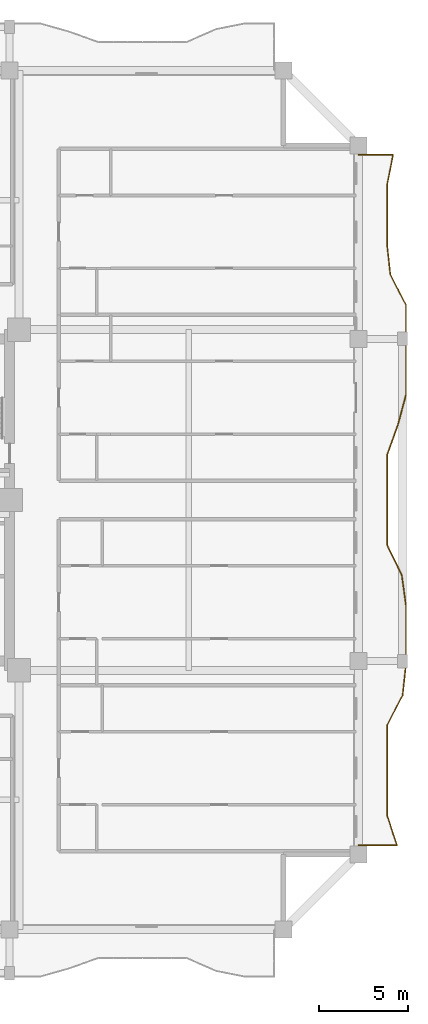
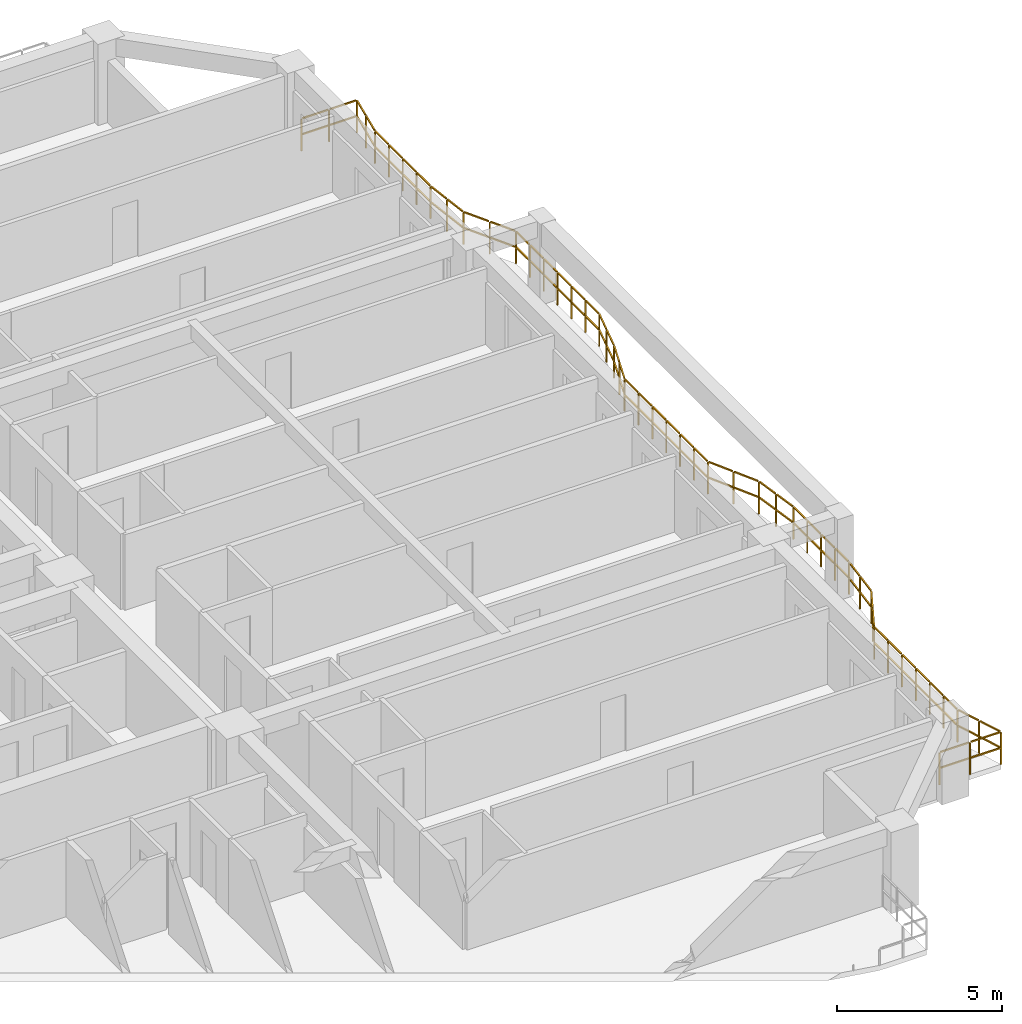
# One storey, part 11 of 12: 1 railing.
"""IFC4 building model written with IfcOpenShell, lengths in metres."""

from ifc_helpers import new_model, si_unit, direction, frame, origin, origin_2d, place, context, subcontext, project, spatial, rectangle, extrude, material, type_object, element, save


model = new_model("IFC4")

# Units and contexts
model_context = context("Model", 3, precision=1e-05, world=origin(), true_north=direction((0.0, 1.0)))
body_context = subcontext(model_context, "Body", "Model", "MODEL_VIEW")
ifc_project = project(units=[si_unit("LENGTHUNIT", "METRE"), si_unit("AREAUNIT", "SQUARE_METRE"), si_unit("VOLUMEUNIT", "CUBIC_METRE"), si_unit("PLANEANGLEUNIT", "RADIAN"), si_unit("MASSUNIT", "GRAM", prefix="KILO")], contexts=[model_context])

# Site, building, storey
site_placement = place(None, origin())
site = spatial("IfcSite", under=ifc_project, at=site_placement, CompositionType="ELEMENT")
building_placement = place(site_placement, origin())
building = spatial("IfcBuilding", under=site, at=building_placement, Name="Saelheon Loggia Tower", CompositionType="ELEMENT")
storey_placement = place(building_placement, frame((0.0, 0.0, 101.85009765625)))
storey = spatial("IfcBuildingStorey", under=building, at=storey_placement, Name="L32", CompositionType="ELEMENT", Elevation=101.85009765625)

# Railing
ifc_material = material(Name="Architectural Precast Concrete and Laminated Glass Guard", Category="concrete")
railing_type = type_object("IfcRailingType", Name="Guard_Loggia_RL_LOG", PredefinedType="BALUSTRADE", material=ifc_material)
railing_placement = place(storey_placement, frame((64.0, 7.699951171875, 0.0)))
element("IfcRailing", 1, at=railing_placement, inside=storey, type_object=railing_type, Name="L32 East Loggia Balustrade", PredefinedType="BALUSTRADE", context=body_context, shape_type="SweptSolid", body=[
    extrude(rectangle(XDim=0.048095703125, YDim=0.048095703125, at=origin_2d()), frame((0.033203125, 0.0, 1.19580078125), z_axis=(1.0, 0.0, 0.0), x_axis=(0.0, 1.0, 0.0)), (0.0, 0.0, 1.0), 1.008544921875),
    extrude(rectangle(XDim=0.048095703125, YDim=0.048095703125, at=origin_2d()), frame((0.033203125, 0.0, 0.60986328125), z_axis=(1.0, 0.0, 0.0), x_axis=(0.0, 1.0, 0.0)), (0.0, 0.0, 1.0), 1.008544921875),
    extrude(rectangle(XDim=0.048095703125, YDim=0.048095703125, at=origin_2d()), frame((1.108154296875, 0.0, 1.19580078125), z_axis=(1.0, 0.0, 0.0), x_axis=(0.0, 1.0, 0.0)), (0.0, 0.0, 1.0), 1.008544921875),
    extrude(rectangle(XDim=0.048095703125, YDim=0.048095703125, at=origin_2d()), frame((1.108154296875, 0.0, 0.60986328125), z_axis=(1.0, 0.0, 0.0), x_axis=(0.0, 1.0, 0.0)), (0.0, 0.0, 1.0), 1.008544921875),
    extrude(rectangle(XDim=0.048095703125, YDim=0.048095703125, at=origin_2d()), frame((2.1396484375, 0.031494140625, 1.19580078125), z_axis=(-0.311288759302, 0.950315373091, 0.0), x_axis=(-0.950315373091, -0.311288759302, 0.0)), (0.0, 0.0, 1.0), 0.816650390625),
    extrude(rectangle(XDim=0.048095703125, YDim=0.048095703125, at=origin_2d()), frame((2.1396484375, 0.031494140625, 0.60986328125), z_axis=(-0.311288759302, 0.950315373091, 0.0), x_axis=(-0.950315373091, -0.311288759302, 0.0)), (0.0, 0.0, 1.0), 0.816650390625),
    extrude(rectangle(XDim=0.048095703125, YDim=0.048095703125, at=origin_2d()), frame((1.86474609375, 0.870849609375, 1.19580078125), z_axis=(-0.311288759302, 0.950315373091, 0.0), x_axis=(-0.950315373091, -0.311288759302, 0.0)), (0.0, 0.0, 1.0), 0.816650390625),
    extrude(rectangle(XDim=0.048095703125, YDim=0.048095703125, at=origin_2d()), frame((1.86474609375, 0.870849609375, 0.60986328125), z_axis=(-0.311288759302, 0.950315373091, 0.0), x_axis=(-0.950315373091, -0.311288759302, 0.0)), (0.0, 0.0, 1.0), 0.816650390625),
    extrude(rectangle(XDim=0.048095703125, YDim=0.048095703125, at=origin_2d()), frame((1.60009765625, 1.711669921875, 1.19580078125), z_axis=(0.0, 1.0, 0.0), x_axis=(-1.0, 0.0, 0.0)), (0.0, 0.0, 1.0), 0.7724609375),
    extrude(rectangle(XDim=0.048095703125, YDim=0.048095703125, at=origin_2d()), frame((1.60009765625, 1.711669921875, 0.60986328125), z_axis=(0.0, 1.0, 0.0), x_axis=(-1.0, 0.0, 0.0)), (0.0, 0.0, 1.0), 0.7724609375),
    extrude(rectangle(XDim=0.048095703125, YDim=0.048095703125, at=origin_2d()), frame((1.60009765625, 2.55078125, 1.19580078125), z_axis=(0.0, 1.0, 0.0), x_axis=(-1.0, 0.0, 0.0)), (0.0, 0.0, 1.0), 0.7724609375),
    extrude(rectangle(XDim=0.048095703125, YDim=0.048095703125, at=origin_2d()), frame((1.60009765625, 2.55078125, 0.60986328125), z_axis=(0.0, 1.0, 0.0), x_axis=(-1.0, 0.0, 0.0)), (0.0, 0.0, 1.0), 0.7724609375),
    extrude(rectangle(XDim=0.048095703125, YDim=0.048095703125, at=origin_2d()), frame((1.60009765625, 3.3896484375, 1.19580078125), z_axis=(0.0, 1.0, 0.0), x_axis=(-1.0, 0.0, 0.0)), (0.0, 0.0, 1.0), 0.772705078125),
    extrude(rectangle(XDim=0.048095703125, YDim=0.048095703125, at=origin_2d()), frame((1.60009765625, 3.3896484375, 0.60986328125), z_axis=(0.0, 1.0, 0.0), x_axis=(-1.0, 0.0, 0.0)), (0.0, 0.0, 1.0), 0.772705078125),
    extrude(rectangle(XDim=0.048095703125, YDim=0.048095703125, at=origin_2d()), frame((1.60009765625, 4.22900390625, 1.19580078125), z_axis=(0.0, 1.0, 0.0), x_axis=(-1.0, 0.0, 0.0)), (0.0, 0.0, 1.0), 0.772705078125),
    extrude(rectangle(XDim=0.048095703125, YDim=0.048095703125, at=origin_2d()), frame((1.60009765625, 4.22900390625, 0.60986328125), z_axis=(0.0, 1.0, 0.0), x_axis=(-1.0, 0.0, 0.0)), (0.0, 0.0, 1.0), 0.772705078125),
    extrude(rectangle(XDim=0.048095703125, YDim=0.048095703125, at=origin_2d()), frame((1.60009765625, 5.068115234375, 1.19580078125), z_axis=(0.0, 1.0, 0.0), x_axis=(-1.0, 0.0, 0.0)), (0.0, 0.0, 1.0), 0.772705078125),
    extrude(rectangle(XDim=0.048095703125, YDim=0.048095703125, at=origin_2d()), frame((1.60009765625, 5.068115234375, 0.60986328125), z_axis=(0.0, 1.0, 0.0), x_axis=(-1.0, 0.0, 0.0)), (0.0, 0.0, 1.0), 0.772705078125),
    extrude(rectangle(XDim=0.048095703125, YDim=0.048095703125, at=origin_2d()), frame((1.60009765625, 5.9072265625, 1.19580078125), z_axis=(0.0, 1.0, 0.0), x_axis=(-1.0, 0.0, 0.0)), (0.0, 0.0, 1.0), 0.772705078125),
    extrude(rectangle(XDim=0.048095703125, YDim=0.048095703125, at=origin_2d()), frame((1.60009765625, 5.9072265625, 0.60986328125), z_axis=(0.0, 1.0, 0.0), x_axis=(-1.0, 0.0, 0.0)), (0.0, 0.0, 1.0), 0.772705078125),
    extrude(rectangle(XDim=0.048095703125, YDim=0.048095703125, at=origin_2d()), frame((1.615478515625, 6.74267578125, 1.19580078125), z_axis=(0.459574052733, 0.888139454171, 0.0), x_axis=(-0.888139454171, 0.459574052733, 0.0)), (0.0, 0.0, 1.0), 0.87841796875),
    extrude(rectangle(XDim=0.048095703125, YDim=0.048095703125, at=origin_2d()), frame((1.615478515625, 6.74267578125, 0.60986328125), z_axis=(0.459574052733, 0.888139454171, 0.0), x_axis=(-0.888139454171, 0.459574052733, 0.0)), (0.0, 0.0, 1.0), 0.87841796875),
    extrude(rectangle(XDim=0.048095703125, YDim=0.048095703125, at=origin_2d()), frame((2.049560546875, 7.581787109375, 1.19580078125), z_axis=(0.459574052733, 0.888139454171, 0.0), x_axis=(-0.888139454171, 0.459574052733, 0.0)), (0.0, 0.0, 1.0), 0.87841796875),
    extrude(rectangle(XDim=0.048095703125, YDim=0.048095703125, at=origin_2d()), frame((2.049560546875, 7.581787109375, 0.60986328125), z_axis=(0.459574052733, 0.888139454171, 0.0), x_axis=(-0.888139454171, 0.459574052733, 0.0)), (0.0, 0.0, 1.0), 0.87841796875),
    extrude(rectangle(XDim=0.048095703125, YDim=0.048095703125, at=origin_2d()), frame((2.47216796875, 8.42431640625, 1.19580078125), z_axis=(0.107462523714, 0.994209135945, 0.0), x_axis=(-0.994209135945, 0.107462523714, 0.0)), (0.0, 0.0, 1.0), 0.777587890625),
    extrude(rectangle(XDim=0.048095703125, YDim=0.048095703125, at=origin_2d()), frame((2.47216796875, 8.42431640625, 0.60986328125), z_axis=(0.107462523714, 0.994209135945, 0.0), x_axis=(-0.994209135945, 0.107462523714, 0.0)), (0.0, 0.0, 1.0), 0.777587890625),
    extrude(rectangle(XDim=0.048095703125, YDim=0.048095703125, at=origin_2d()), frame((2.562744140625, 9.263427734375, 1.19580078125), z_axis=(0.107462523714, 0.994209135945, 0.0), x_axis=(-0.994209135945, 0.107462523714, 0.0)), (0.0, 0.0, 1.0), 0.777587890625),
    extrude(rectangle(XDim=0.048095703125, YDim=0.048095703125, at=origin_2d()), frame((2.562744140625, 9.263427734375, 0.60986328125), z_axis=(0.107462523714, 0.994209135945, 0.0), x_axis=(-0.994209135945, 0.107462523714, 0.0)), (0.0, 0.0, 1.0), 0.777587890625),
    extrude(rectangle(XDim=0.048095703125, YDim=0.048095703125, at=origin_2d()), frame((2.64990234375, 10.102783203125, 1.19580078125), z_axis=(0.0, 1.0, 0.0), x_axis=(-1.0, 0.0, 0.0)), (0.0, 0.0, 1.0), 0.772705078125),
    extrude(rectangle(XDim=0.048095703125, YDim=0.048095703125, at=origin_2d()), frame((2.64990234375, 10.102783203125, 0.60986328125), z_axis=(0.0, 1.0, 0.0), x_axis=(-1.0, 0.0, 0.0)), (0.0, 0.0, 1.0), 0.772705078125),
    extrude(rectangle(XDim=0.048095703125, YDim=0.048095703125, at=origin_2d()), frame((2.64990234375, 10.94189453125, 1.19580078125), z_axis=(0.0, 1.0, 0.0), x_axis=(-1.0, 0.0, 0.0)), (0.0, 0.0, 1.0), 0.772705078125),
    extrude(rectangle(XDim=0.048095703125, YDim=0.048095703125, at=origin_2d()), frame((2.64990234375, 10.94189453125, 0.60986328125), z_axis=(0.0, 1.0, 0.0), x_axis=(-1.0, 0.0, 0.0)), (0.0, 0.0, 1.0), 0.772705078125),
    extrude(rectangle(XDim=0.048095703125, YDim=0.048095703125, at=origin_2d()), frame((2.64990234375, 11.781005859375, 1.19580078125), z_axis=(0.0, 1.0, 0.0), x_axis=(-1.0, 0.0, 0.0)), (0.0, 0.0, 1.0), 0.772705078125),
    extrude(rectangle(XDim=0.048095703125, YDim=0.048095703125, at=origin_2d()), frame((2.64990234375, 11.781005859375, 0.60986328125), z_axis=(0.0, 1.0, 0.0), x_axis=(-1.0, 0.0, 0.0)), (0.0, 0.0, 1.0), 0.772705078125),
    extrude(rectangle(XDim=0.048095703125, YDim=0.048095703125, at=origin_2d()), frame((2.64990234375, 12.620361328125, 1.19580078125), z_axis=(0.0, 1.0, 0.0), x_axis=(-1.0, 0.0, 0.0)), (0.0, 0.0, 1.0), 0.772705078125),
    extrude(rectangle(XDim=0.048095703125, YDim=0.048095703125, at=origin_2d()), frame((2.64990234375, 12.620361328125, 0.60986328125), z_axis=(0.0, 1.0, 0.0), x_axis=(-1.0, 0.0, 0.0)), (0.0, 0.0, 1.0), 0.772705078125),
    extrude(rectangle(XDim=0.048095703125, YDim=0.048095703125, at=origin_2d()), frame((2.645263671875, 13.459228515625, 1.19580078125), z_axis=(-0.13706168357, 0.990562514381, 0.0), x_axis=(-0.990562514381, -0.13706168357, 0.0)), (0.0, 0.0, 1.0), 0.780517578125),
    extrude(rectangle(XDim=0.048095703125, YDim=0.048095703125, at=origin_2d()), frame((2.645263671875, 13.459228515625, 0.60986328125), z_axis=(-0.13706168357, 0.990562514381, 0.0), x_axis=(-0.990562514381, -0.13706168357, 0.0)), (0.0, 0.0, 1.0), 0.780517578125),
    extrude(rectangle(XDim=0.048095703125, YDim=0.048095703125, at=origin_2d()), frame((2.529296875, 14.298095703125, 1.19580078125), z_axis=(-0.13706168357, 0.990562514381, 0.0), x_axis=(-0.990562514381, -0.13706168357, 0.0)), (0.0, 0.0, 1.0), 0.780517578125),
    extrude(rectangle(XDim=0.048095703125, YDim=0.048095703125, at=origin_2d()), frame((2.529296875, 14.298095703125, 0.60986328125), z_axis=(-0.13706168357, 0.990562514381, 0.0), x_axis=(-0.990562514381, -0.13706168357, 0.0)), (0.0, 0.0, 1.0), 0.780517578125),
    extrude(rectangle(XDim=0.048095703125, YDim=0.048095703125, at=origin_2d()), frame((2.403076171875, 15.134033203125, 1.19580078125), z_axis=(-0.437931485797, 0.89900835021, 0.0), x_axis=(-0.89900835021, -0.437931485797, 0.0)), (0.0, 0.0, 1.0), 0.866943359375),
    extrude(rectangle(XDim=0.048095703125, YDim=0.048095703125, at=origin_2d()), frame((2.403076171875, 15.134033203125, 0.60986328125), z_axis=(-0.437931485797, 0.89900835021, 0.0), x_axis=(-0.89900835021, -0.437931485797, 0.0)), (0.0, 0.0, 1.0), 0.866943359375),
    extrude(rectangle(XDim=0.048095703125, YDim=0.048095703125, at=origin_2d()), frame((1.994384765625, 15.973388671875, 1.19580078125), z_axis=(-0.437931485797, 0.89900835021, 0.0), x_axis=(-0.89900835021, -0.437931485797, 0.0)), (0.0, 0.0, 1.0), 0.866943359375),
    extrude(rectangle(XDim=0.048095703125, YDim=0.048095703125, at=origin_2d()), frame((1.994384765625, 15.973388671875, 0.60986328125), z_axis=(-0.437931485797, 0.89900835021, 0.0), x_axis=(-0.89900835021, -0.437931485797, 0.0)), (0.0, 0.0, 1.0), 0.866943359375),
    extrude(rectangle(XDim=0.048095703125, YDim=0.048095703125, at=origin_2d()), frame((1.60009765625, 16.81591796875, 1.19580078125), z_axis=(0.0, 1.0, 0.0), x_axis=(-1.0, 0.0, 0.0)), (0.0, 0.0, 1.0), 0.772705078125),
    extrude(rectangle(XDim=0.048095703125, YDim=0.048095703125, at=origin_2d()), frame((1.60009765625, 16.81591796875, 0.60986328125), z_axis=(0.0, 1.0, 0.0), x_axis=(-1.0, 0.0, 0.0)), (0.0, 0.0, 1.0), 0.772705078125),
    extrude(rectangle(XDim=0.048095703125, YDim=0.048095703125, at=origin_2d()), frame((1.60009765625, 17.655029296875, 1.19580078125), z_axis=(0.0, 1.0, 0.0), x_axis=(-1.0, 0.0, 0.0)), (0.0, 0.0, 1.0), 0.772705078125),
    extrude(rectangle(XDim=0.048095703125, YDim=0.048095703125, at=origin_2d()), frame((1.60009765625, 17.655029296875, 0.60986328125), z_axis=(0.0, 1.0, 0.0), x_axis=(-1.0, 0.0, 0.0)), (0.0, 0.0, 1.0), 0.772705078125),
    extrude(rectangle(XDim=0.048095703125, YDim=0.048095703125, at=origin_2d()), frame((1.60009765625, 18.494140625, 1.19580078125), z_axis=(0.0, 1.0, 0.0), x_axis=(-1.0, 0.0, 0.0)), (0.0, 0.0, 1.0), 0.772705078125),
    extrude(rectangle(XDim=0.048095703125, YDim=0.048095703125, at=origin_2d()), frame((1.60009765625, 18.494140625, 0.60986328125), z_axis=(0.0, 1.0, 0.0), x_axis=(-1.0, 0.0, 0.0)), (0.0, 0.0, 1.0), 0.772705078125),
    extrude(rectangle(XDim=0.048095703125, YDim=0.048095703125, at=origin_2d()), frame((1.60009765625, 19.333251953125, 1.19580078125), z_axis=(0.0, 1.0, 0.0), x_axis=(-1.0, 0.0, 0.0)), (0.0, 0.0, 1.0), 0.772705078125),
    extrude(rectangle(XDim=0.048095703125, YDim=0.048095703125, at=origin_2d()), frame((1.60009765625, 19.333251953125, 0.60986328125), z_axis=(0.0, 1.0, 0.0), x_axis=(-1.0, 0.0, 0.0)), (0.0, 0.0, 1.0), 0.772705078125),
    extrude(rectangle(XDim=0.048095703125, YDim=0.048095703125, at=origin_2d()), frame((1.60009765625, 20.17236328125, 1.19580078125), z_axis=(0.0, 1.0, 0.0), x_axis=(-1.0, 0.0, 0.0)), (0.0, 0.0, 1.0), 0.772705078125),
    extrude(rectangle(XDim=0.048095703125, YDim=0.048095703125, at=origin_2d()), frame((1.60009765625, 20.17236328125, 0.60986328125), z_axis=(0.0, 1.0, 0.0), x_axis=(-1.0, 0.0, 0.0)), (0.0, 0.0, 1.0), 0.772705078125),
    extrude(rectangle(XDim=0.048095703125, YDim=0.048095703125, at=origin_2d()), frame((1.60009765625, 21.011474609375, 1.19580078125), z_axis=(0.0, 1.0, 0.0), x_axis=(-1.0, 0.0, 0.0)), (0.0, 0.0, 1.0), 0.772705078125),
    extrude(rectangle(XDim=0.048095703125, YDim=0.048095703125, at=origin_2d()), frame((1.60009765625, 21.011474609375, 0.60986328125), z_axis=(0.0, 1.0, 0.0), x_axis=(-1.0, 0.0, 0.0)), (0.0, 0.0, 1.0), 0.772705078125),
    extrude(rectangle(XDim=0.048095703125, YDim=0.048095703125, at=origin_2d()), frame((1.611328125, 21.8486328125, 1.19580078125), z_axis=(0.337507079307, 0.941322989955, 0.0), x_axis=(-0.941322989955, 0.337507079307, 0.0)), (0.0, 0.0, 1.0), 0.8251953125),
    extrude(rectangle(XDim=0.048095703125, YDim=0.048095703125, at=origin_2d()), frame((1.611328125, 21.8486328125, 0.60986328125), z_axis=(0.337507079307, 0.941322989955, 0.0), x_axis=(-0.941322989955, 0.337507079307, 0.0)), (0.0, 0.0, 1.0), 0.8251953125),
    extrude(rectangle(XDim=0.048095703125, YDim=0.048095703125, at=origin_2d()), frame((1.912109375, 22.68798828125, 1.19580078125), z_axis=(0.337507079307, 0.941322989955, 0.0), x_axis=(-0.941322989955, 0.337507079307, 0.0)), (0.0, 0.0, 1.0), 0.8251953125),
    extrude(rectangle(XDim=0.048095703125, YDim=0.048095703125, at=origin_2d()), frame((1.912109375, 22.68798828125, 0.60986328125), z_axis=(0.337507079307, 0.941322989955, 0.0), x_axis=(-0.941322989955, 0.337507079307, 0.0)), (0.0, 0.0, 1.0), 0.8251953125),
    extrude(rectangle(XDim=0.048095703125, YDim=0.048095703125, at=origin_2d()), frame((2.21044921875, 23.528076171875, 1.19580078125), z_axis=(0.257951367735, 0.966157902148, 0.0), x_axis=(-0.966157902148, 0.257951367735, 0.0)), (0.0, 0.0, 1.0), 0.802001953125),
    extrude(rectangle(XDim=0.048095703125, YDim=0.048095703125, at=origin_2d()), frame((2.21044921875, 23.528076171875, 0.60986328125), z_axis=(0.257951367735, 0.966157902148, 0.0), x_axis=(-0.966157902148, 0.257951367735, 0.0)), (0.0, 0.0, 1.0), 0.802001953125),
    extrude(rectangle(XDim=0.048095703125, YDim=0.048095703125, at=origin_2d()), frame((2.4345703125, 24.366943359375, 1.19580078125), z_axis=(0.257951367735, 0.966157902148, 0.0), x_axis=(-0.966157902148, 0.257951367735, 0.0)), (0.0, 0.0, 1.0), 0.802001953125),
    extrude(rectangle(XDim=0.048095703125, YDim=0.048095703125, at=origin_2d()), frame((2.4345703125, 24.366943359375, 0.60986328125), z_axis=(0.257951367735, 0.966157902148, 0.0), x_axis=(-0.966157902148, 0.257951367735, 0.0)), (0.0, 0.0, 1.0), 0.802001953125),
    extrude(rectangle(XDim=0.048095703125, YDim=0.048095703125, at=origin_2d()), frame((2.64990234375, 25.20703125, 1.19580078125), z_axis=(0.0, 1.0, 0.0), x_axis=(-1.0, 0.0, 0.0)), (0.0, 0.0, 1.0), 0.772705078125),
    extrude(rectangle(XDim=0.048095703125, YDim=0.048095703125, at=origin_2d()), frame((2.64990234375, 25.20703125, 0.60986328125), z_axis=(0.0, 1.0, 0.0), x_axis=(-1.0, 0.0, 0.0)), (0.0, 0.0, 1.0), 0.772705078125),
    extrude(rectangle(XDim=0.048095703125, YDim=0.048095703125, at=origin_2d()), frame((2.64990234375, 26.04638671875, 1.19580078125), z_axis=(0.0, 1.0, 0.0), x_axis=(-1.0, 0.0, 0.0)), (0.0, 0.0, 1.0), 0.772705078125),
    extrude(rectangle(XDim=0.048095703125, YDim=0.048095703125, at=origin_2d()), frame((2.64990234375, 26.04638671875, 0.60986328125), z_axis=(0.0, 1.0, 0.0), x_axis=(-1.0, 0.0, 0.0)), (0.0, 0.0, 1.0), 0.772705078125),
    extrude(rectangle(XDim=0.048095703125, YDim=0.048095703125, at=origin_2d()), frame((2.64990234375, 26.885498046875, 1.19580078125), z_axis=(0.0, 1.0, 0.0), x_axis=(-1.0, 0.0, 0.0)), (0.0, 0.0, 1.0), 0.772705078125),
    extrude(rectangle(XDim=0.048095703125, YDim=0.048095703125, at=origin_2d()), frame((2.64990234375, 26.885498046875, 0.60986328125), z_axis=(0.0, 1.0, 0.0), x_axis=(-1.0, 0.0, 0.0)), (0.0, 0.0, 1.0), 0.772705078125),
    extrude(rectangle(XDim=0.048095703125, YDim=0.048095703125, at=origin_2d()), frame((2.64990234375, 27.724609375, 1.19580078125), z_axis=(0.0, 1.0, 0.0), x_axis=(-1.0, 0.0, 0.0)), (0.0, 0.0, 1.0), 0.772705078125),
    extrude(rectangle(XDim=0.048095703125, YDim=0.048095703125, at=origin_2d()), frame((2.64990234375, 27.724609375, 0.60986328125), z_axis=(0.0, 1.0, 0.0), x_axis=(-1.0, 0.0, 0.0)), (0.0, 0.0, 1.0), 0.772705078125),
    extrude(rectangle(XDim=0.048095703125, YDim=0.048095703125, at=origin_2d()), frame((2.64990234375, 28.563720703125, 1.19580078125), z_axis=(0.0, 1.0, 0.0), x_axis=(-1.0, 0.0, 0.0)), (0.0, 0.0, 1.0), 0.772705078125),
    extrude(rectangle(XDim=0.048095703125, YDim=0.048095703125, at=origin_2d()), frame((2.64990234375, 28.563720703125, 0.60986328125), z_axis=(0.0, 1.0, 0.0), x_axis=(-1.0, 0.0, 0.0)), (0.0, 0.0, 1.0), 0.772705078125),
    extrude(rectangle(XDim=0.048095703125, YDim=0.048095703125, at=origin_2d()), frame((2.64990234375, 29.40283203125, 1.19580078125), z_axis=(0.0, 1.0, 0.0), x_axis=(-1.0, 0.0, 0.0)), (0.0, 0.0, 1.0), 0.772705078125),
    extrude(rectangle(XDim=0.048095703125, YDim=0.048095703125, at=origin_2d()), frame((2.64990234375, 29.40283203125, 0.60986328125), z_axis=(0.0, 1.0, 0.0), x_axis=(-1.0, 0.0, 0.0)), (0.0, 0.0, 1.0), 0.772705078125),
    extrude(rectangle(XDim=0.048095703125, YDim=0.048095703125, at=origin_2d()), frame((2.634521484375, 30.23828125, 1.19580078125), z_axis=(-0.459675957683, 0.88808671532, 0.0), x_axis=(-0.88808671532, -0.459675957683, 0.0)), (0.0, 0.0, 1.0), 0.87841796875),
    extrude(rectangle(XDim=0.048095703125, YDim=0.048095703125, at=origin_2d()), frame((2.634521484375, 30.23828125, 0.60986328125), z_axis=(-0.459675957683, 0.88808671532, 0.0), x_axis=(-0.88808671532, -0.459675957683, 0.0)), (0.0, 0.0, 1.0), 0.87841796875),
    extrude(rectangle(XDim=0.048095703125, YDim=0.048095703125, at=origin_2d()), frame((2.2001953125, 31.077392578125, 1.19580078125), z_axis=(-0.459675957683, 0.88808671532, 0.0), x_axis=(-0.88808671532, -0.459675957683, 0.0)), (0.0, 0.0, 1.0), 0.87841796875),
    extrude(rectangle(XDim=0.048095703125, YDim=0.048095703125, at=origin_2d()), frame((2.2001953125, 31.077392578125, 0.60986328125), z_axis=(-0.459675957683, 0.88808671532, 0.0), x_axis=(-0.88808671532, -0.459675957683, 0.0)), (0.0, 0.0, 1.0), 0.87841796875),
    extrude(rectangle(XDim=0.048095703125, YDim=0.048095703125, at=origin_2d()), frame((1.777587890625, 31.919921875, 1.19580078125), z_axis=(-0.10731955736, 0.994224578558, 0.0), x_axis=(-0.994224578558, -0.10731955736, 0.0)), (0.0, 0.0, 1.0), 0.777587890625),
    extrude(rectangle(XDim=0.048095703125, YDim=0.048095703125, at=origin_2d()), frame((1.777587890625, 31.919921875, 0.60986328125), z_axis=(-0.10731955736, 0.994224578558, 0.0), x_axis=(-0.994224578558, -0.10731955736, 0.0)), (0.0, 0.0, 1.0), 0.777587890625),
    extrude(rectangle(XDim=0.048095703125, YDim=0.048095703125, at=origin_2d()), frame((1.68701171875, 32.759033203125, 1.19580078125), z_axis=(-0.10731955736, 0.994224578558, 0.0), x_axis=(-0.994224578558, -0.10731955736, 0.0)), (0.0, 0.0, 1.0), 0.777587890625),
    extrude(rectangle(XDim=0.048095703125, YDim=0.048095703125, at=origin_2d()), frame((1.68701171875, 32.759033203125, 0.60986328125), z_axis=(-0.10731955736, 0.994224578558, 0.0), x_axis=(-0.994224578558, -0.10731955736, 0.0)), (0.0, 0.0, 1.0), 0.777587890625),
    extrude(rectangle(XDim=0.048095703125, YDim=0.048095703125, at=origin_2d()), frame((1.60009765625, 33.598388671875, 1.19580078125), z_axis=(0.0, 1.0, 0.0), x_axis=(-1.0, 0.0, 0.0)), (0.0, 0.0, 1.0), 0.772705078125),
    extrude(rectangle(XDim=0.048095703125, YDim=0.048095703125, at=origin_2d()), frame((1.60009765625, 33.598388671875, 0.60986328125), z_axis=(0.0, 1.0, 0.0), x_axis=(-1.0, 0.0, 0.0)), (0.0, 0.0, 1.0), 0.772705078125),
    extrude(rectangle(XDim=0.048095703125, YDim=0.048095703125, at=origin_2d()), frame((1.60009765625, 34.437744140625, 1.19580078125), z_axis=(0.0, 1.0, 0.0), x_axis=(-1.0, 0.0, 0.0)), (0.0, 0.0, 1.0), 0.772705078125),
    extrude(rectangle(XDim=0.048095703125, YDim=0.048095703125, at=origin_2d()), frame((1.60009765625, 34.437744140625, 0.60986328125), z_axis=(0.0, 1.0, 0.0), x_axis=(-1.0, 0.0, 0.0)), (0.0, 0.0, 1.0), 0.772705078125),
    extrude(rectangle(XDim=0.048095703125, YDim=0.048095703125, at=origin_2d()), frame((1.60009765625, 35.27685546875, 1.19580078125), z_axis=(0.0, 1.0, 0.0), x_axis=(-1.0, 0.0, 0.0)), (0.0, 0.0, 1.0), 0.7724609375),
    extrude(rectangle(XDim=0.048095703125, YDim=0.048095703125, at=origin_2d()), frame((1.60009765625, 35.27685546875, 0.60986328125), z_axis=(0.0, 1.0, 0.0), x_axis=(-1.0, 0.0, 0.0)), (0.0, 0.0, 1.0), 0.7724609375),
    extrude(rectangle(XDim=0.048095703125, YDim=0.048095703125, at=origin_2d()), frame((1.60009765625, 36.115966796875, 1.19580078125), z_axis=(0.0, 1.0, 0.0), x_axis=(-1.0, 0.0, 0.0)), (0.0, 0.0, 1.0), 0.7724609375),
    extrude(rectangle(XDim=0.048095703125, YDim=0.048095703125, at=origin_2d()), frame((1.60009765625, 36.115966796875, 0.60986328125), z_axis=(0.0, 1.0, 0.0), x_axis=(-1.0, 0.0, 0.0)), (0.0, 0.0, 1.0), 0.7724609375),
    extrude(rectangle(XDim=0.048095703125, YDim=0.048095703125, at=origin_2d()), frame((1.606689453125, 36.954345703125, 1.19580078125), z_axis=(0.194744119332, 0.980854080883, 0.0), x_axis=(-0.980854080883, 0.194744119332, 0.0)), (0.0, 0.0, 1.0), 0.7890625),
    extrude(rectangle(XDim=0.048095703125, YDim=0.048095703125, at=origin_2d()), frame((1.606689453125, 36.954345703125, 0.60986328125), z_axis=(0.194744119332, 0.980854080883, 0.0), x_axis=(-0.980854080883, 0.194744119332, 0.0)), (0.0, 0.0, 1.0), 0.7890625),
    extrude(rectangle(XDim=0.048095703125, YDim=0.048095703125, at=origin_2d()), frame((1.773193359375, 37.79345703125, 1.19580078125), z_axis=(0.194744119332, 0.980854080883, 0.0), x_axis=(-0.980854080883, 0.194744119332, 0.0)), (0.0, 0.0, 1.0), 0.7890625),
    extrude(rectangle(XDim=0.048095703125, YDim=0.048095703125, at=origin_2d()), frame((1.773193359375, 37.79345703125, 0.60986328125), z_axis=(0.194744119332, 0.980854080883, 0.0), x_axis=(-0.980854080883, 0.194744119332, 0.0)), (0.0, 0.0, 1.0), 0.7890625),
    extrude(rectangle(XDim=0.048095703125, YDim=0.048095703125, at=origin_2d()), frame((1.900146484375, 38.60009765625, 1.19580078125), z_axis=(-1.0, 0.0, 0.0), x_axis=(0.0, -1.0, 0.0)), (0.0, 0.0, 1.0), 0.900146484375),
    extrude(rectangle(XDim=0.048095703125, YDim=0.048095703125, at=origin_2d()), frame((1.900146484375, 38.60009765625, 0.60986328125), z_axis=(-1.0, 0.0, 0.0), x_axis=(0.0, -1.0, 0.0)), (0.0, 0.0, 1.0), 0.900146484375),
    extrude(rectangle(XDim=0.048095703125, YDim=0.048095703125, at=origin_2d()), frame((0.933349609375, 38.60009765625, 1.19580078125), z_axis=(-1.0, 0.0, 0.0), x_axis=(0.0, -1.0, 0.0)), (0.0, 0.0, 1.0), 0.900146484375),
    extrude(rectangle(XDim=0.048095703125, YDim=0.048095703125, at=origin_2d()), frame((0.933349609375, 38.60009765625, 0.60986328125), z_axis=(-1.0, 0.0, 0.0), x_axis=(0.0, -1.0, 0.0)), (0.0, 0.0, 1.0), 0.900146484375),
    extrude(rectangle(XDim=0.0419921875, YDim=0.0419921875, at=origin_2d()), origin(), (0.0, 0.0, 1.0), 1.16796875),
    extrude(rectangle(XDim=0.0419921875, YDim=0.0419921875, at=origin_2d()), frame((1.074951171875, 0.0, 0.0)), (0.0, 0.0, 1.0), 1.16796875),
    extrude(rectangle(XDim=0.0419921875, YDim=0.0419921875, at=origin_2d()), frame((2.14990234375, 0.0, 0.0)), (0.0, 0.0, 1.0), 1.16796875),
    extrude(rectangle(XDim=0.0419921875, YDim=0.0419921875, at=origin_2d()), frame((1.875, 0.83935546875, 0.0)), (0.0, 0.0, 1.0), 1.16796875),
    extrude(rectangle(XDim=0.0419921875, YDim=0.0419921875, at=origin_2d()), frame((1.60009765625, 1.678466796875, 0.0)), (0.0, 0.0, 1.0), 1.16796875),
    extrude(rectangle(XDim=0.0419921875, YDim=0.0419921875, at=origin_2d()), frame((1.60009765625, 2.517578125, 0.0)), (0.0, 0.0, 1.0), 1.16796875),
    extrude(rectangle(XDim=0.0419921875, YDim=0.0419921875, at=origin_2d()), frame((1.60009765625, 3.3564453125, 0.0)), (0.0, 0.0, 1.0), 1.16796875),
    extrude(rectangle(XDim=0.0419921875, YDim=0.0419921875, at=origin_2d()), frame((1.60009765625, 4.19580078125, 0.0)), (0.0, 0.0, 1.0), 1.16796875),
    extrude(rectangle(XDim=0.0419921875, YDim=0.0419921875, at=origin_2d()), frame((1.60009765625, 5.034912109375, 0.0)), (0.0, 0.0, 1.0), 1.16796875),
    extrude(rectangle(XDim=0.0419921875, YDim=0.0419921875, at=origin_2d()), frame((1.60009765625, 5.8740234375, 0.0)), (0.0, 0.0, 1.0), 1.16796875),
    extrude(rectangle(XDim=0.0419921875, YDim=0.0419921875, at=origin_2d()), frame((1.60009765625, 6.713134765625, 0.0)), (0.0, 0.0, 1.0), 1.16796875),
    extrude(rectangle(XDim=0.0419921875, YDim=0.0419921875, at=origin_2d()), frame((2.0341796875, 7.55224609375, 0.0)), (0.0, 0.0, 1.0), 1.16796875),
    extrude(rectangle(XDim=0.0419921875, YDim=0.0419921875, at=origin_2d()), frame((2.468505859375, 8.391357421875, 0.0)), (0.0, 0.0, 1.0), 1.16796875),
    extrude(rectangle(XDim=0.0419921875, YDim=0.0419921875, at=origin_2d()), frame((2.55908203125, 9.23046875, 0.0)), (0.0, 0.0, 1.0), 1.16796875),
    extrude(rectangle(XDim=0.0419921875, YDim=0.0419921875, at=origin_2d()), frame((2.64990234375, 10.069580078125, 0.0)), (0.0, 0.0, 1.0), 1.16796875),
    extrude(rectangle(XDim=0.0419921875, YDim=0.0419921875, at=origin_2d()), frame((2.64990234375, 10.90869140625, 0.0)), (0.0, 0.0, 1.0), 1.16796875),
    extrude(rectangle(XDim=0.0419921875, YDim=0.0419921875, at=origin_2d()), frame((2.64990234375, 11.747802734375, 0.0)), (0.0, 0.0, 1.0), 1.16796875),
    extrude(rectangle(XDim=0.0419921875, YDim=0.0419921875, at=origin_2d()), frame((2.64990234375, 12.5869140625, 0.0)), (0.0, 0.0, 1.0), 1.16796875),
    extrude(rectangle(XDim=0.0419921875, YDim=0.0419921875, at=origin_2d()), frame((2.64990234375, 13.42626953125, 0.0)), (0.0, 0.0, 1.0), 1.16796875),
    extrude(rectangle(XDim=0.0419921875, YDim=0.0419921875, at=origin_2d()), frame((2.53369140625, 14.26513671875, 0.0)), (0.0, 0.0, 1.0), 1.16796875),
    extrude(rectangle(XDim=0.0419921875, YDim=0.0419921875, at=origin_2d()), frame((2.417724609375, 15.104248046875, 0.0)), (0.0, 0.0, 1.0), 1.16796875),
    extrude(rectangle(XDim=0.0419921875, YDim=0.0419921875, at=origin_2d()), frame((2.0087890625, 15.943359375, 0.0)), (0.0, 0.0, 1.0), 1.16796875),
    extrude(rectangle(XDim=0.0419921875, YDim=0.0419921875, at=origin_2d()), frame((1.60009765625, 16.78271484375, 0.0)), (0.0, 0.0, 1.0), 1.16796875),
    extrude(rectangle(XDim=0.0419921875, YDim=0.0419921875, at=origin_2d()), frame((1.60009765625, 17.621826171875, 0.0)), (0.0, 0.0, 1.0), 1.16796875),
    extrude(rectangle(XDim=0.0419921875, YDim=0.0419921875, at=origin_2d()), frame((1.60009765625, 18.4609375, 0.0)), (0.0, 0.0, 1.0), 1.16796875),
    extrude(rectangle(XDim=0.0419921875, YDim=0.0419921875, at=origin_2d()), frame((1.60009765625, 19.300048828125, 0.0)), (0.0, 0.0, 1.0), 1.16796875),
    extrude(rectangle(XDim=0.0419921875, YDim=0.0419921875, at=origin_2d()), frame((1.60009765625, 20.13916015625, 0.0)), (0.0, 0.0, 1.0), 1.16796875),
    extrude(rectangle(XDim=0.0419921875, YDim=0.0419921875, at=origin_2d()), frame((1.60009765625, 20.978271484375, 0.0)), (0.0, 0.0, 1.0), 1.16796875),
    extrude(rectangle(XDim=0.0419921875, YDim=0.0419921875, at=origin_2d()), frame((1.60009765625, 21.8173828125, 0.0)), (0.0, 0.0, 1.0), 1.16796875),
    extrude(rectangle(XDim=0.0419921875, YDim=0.0419921875, at=origin_2d()), frame((1.90087890625, 22.65673828125, 0.0)), (0.0, 0.0, 1.0), 1.16796875),
    extrude(rectangle(XDim=0.0419921875, YDim=0.0419921875, at=origin_2d()), frame((2.201904296875, 23.495849609375, 0.0)), (0.0, 0.0, 1.0), 1.16796875),
    extrude(rectangle(XDim=0.0419921875, YDim=0.0419921875, at=origin_2d()), frame((2.42578125, 24.3349609375, 0.0)), (0.0, 0.0, 1.0), 1.16796875),
    extrude(rectangle(XDim=0.0419921875, YDim=0.0419921875, at=origin_2d()), frame((2.64990234375, 25.173828125, 0.0)), (0.0, 0.0, 1.0), 1.16796875),
    extrude(rectangle(XDim=0.0419921875, YDim=0.0419921875, at=origin_2d()), frame((2.64990234375, 26.01318359375, 0.0)), (0.0, 0.0, 1.0), 1.16796875),
    extrude(rectangle(XDim=0.0419921875, YDim=0.0419921875, at=origin_2d()), frame((2.64990234375, 26.852294921875, 0.0)), (0.0, 0.0, 1.0), 1.16796875),
    extrude(rectangle(XDim=0.0419921875, YDim=0.0419921875, at=origin_2d()), frame((2.64990234375, 27.69140625, 0.0)), (0.0, 0.0, 1.0), 1.16796875),
    extrude(rectangle(XDim=0.0419921875, YDim=0.0419921875, at=origin_2d()), frame((2.64990234375, 28.530517578125, 0.0)), (0.0, 0.0, 1.0), 1.16796875),
    extrude(rectangle(XDim=0.0419921875, YDim=0.0419921875, at=origin_2d()), frame((2.64990234375, 29.36962890625, 0.0)), (0.0, 0.0, 1.0), 1.16796875),
    extrude(rectangle(XDim=0.0419921875, YDim=0.0419921875, at=origin_2d()), frame((2.64990234375, 30.208740234375, 0.0)), (0.0, 0.0, 1.0), 1.16796875),
    extrude(rectangle(XDim=0.0419921875, YDim=0.0419921875, at=origin_2d()), frame((2.215576171875, 31.0478515625, 0.0)), (0.0, 0.0, 1.0), 1.16796875),
    extrude(rectangle(XDim=0.0419921875, YDim=0.0419921875, at=origin_2d()), frame((1.78125, 31.886962890625, 0.0)), (0.0, 0.0, 1.0), 1.16796875),
    extrude(rectangle(XDim=0.0419921875, YDim=0.0419921875, at=origin_2d()), frame((1.690673828125, 32.72607421875, 0.0)), (0.0, 0.0, 1.0), 1.16796875),
    extrude(rectangle(XDim=0.0419921875, YDim=0.0419921875, at=origin_2d()), frame((1.60009765625, 33.565185546875, 0.0)), (0.0, 0.0, 1.0), 1.16796875),
    extrude(rectangle(XDim=0.0419921875, YDim=0.0419921875, at=origin_2d()), frame((1.60009765625, 34.404296875, 0.0)), (0.0, 0.0, 1.0), 1.16796875),
    extrude(rectangle(XDim=0.0419921875, YDim=0.0419921875, at=origin_2d()), frame((1.60009765625, 35.24365234375, 0.0)), (0.0, 0.0, 1.0), 1.16796875),
    extrude(rectangle(XDim=0.0419921875, YDim=0.0419921875, at=origin_2d()), frame((1.60009765625, 36.08251953125, 0.0)), (0.0, 0.0, 1.0), 1.16796875),
    extrude(rectangle(XDim=0.0419921875, YDim=0.0419921875, at=origin_2d()), frame((1.60009765625, 36.921630859375, 0.0)), (0.0, 0.0, 1.0), 1.16796875),
    extrude(rectangle(XDim=0.0419921875, YDim=0.0419921875, at=origin_2d()), frame((1.7666015625, 37.7607421875, 0.0)), (0.0, 0.0, 1.0), 1.16796875),
    extrude(rectangle(XDim=0.0419921875, YDim=0.0419921875, at=origin_2d()), frame((1.933349609375, 38.60009765625, 0.0)), (0.0, 0.0, 1.0), 1.16796875),
    extrude(rectangle(XDim=0.0419921875, YDim=0.0419921875, at=origin_2d()), frame((0.966796875, 38.60009765625, 0.0)), (0.0, 0.0, 1.0), 1.16796875),
    extrude(rectangle(XDim=0.0419921875, YDim=0.0419921875, at=origin_2d()), frame((0.0, 38.60009765625, 0.0)), (0.0, 0.0, 1.0), 1.16796875),
])

save(model, "model.ifc")
